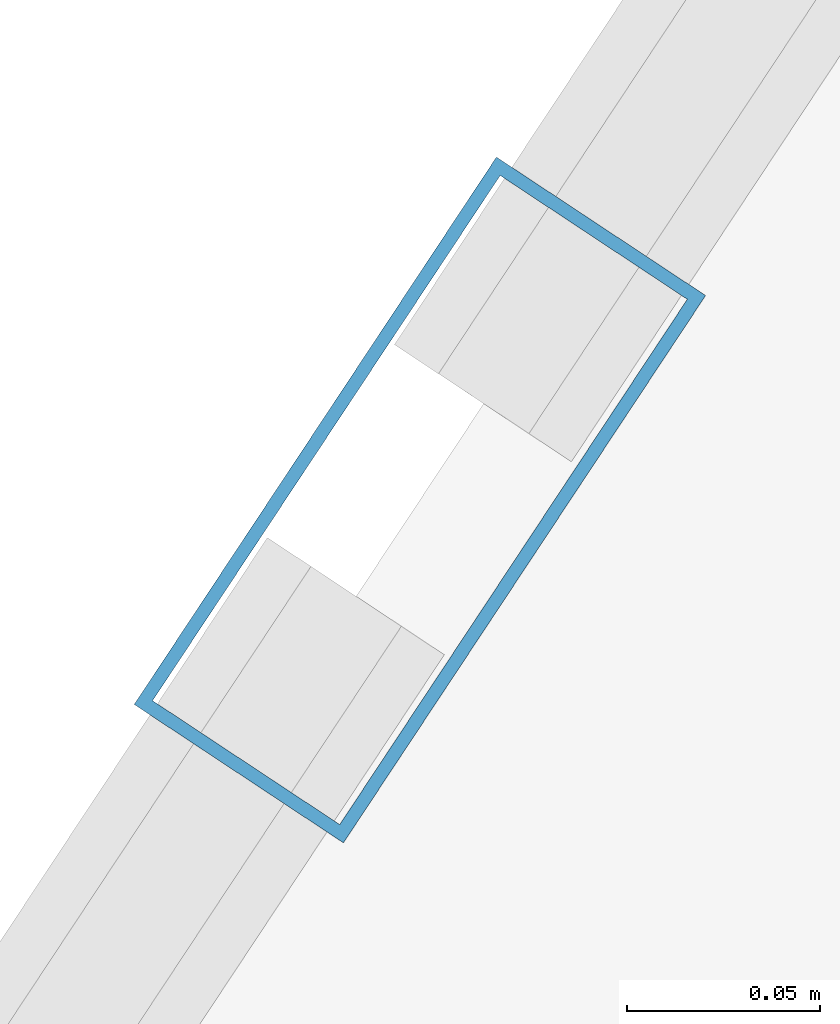
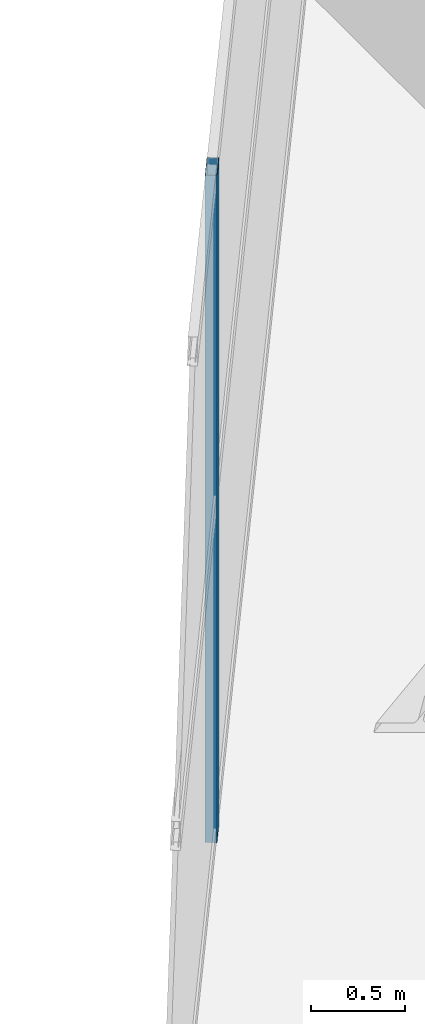
# One storey, part 4 of 15: 1 member, 1 element without a shape of its own.
"""IFC4 building model written with IfcOpenShell, lengths in metres."""

from ifc_helpers import new_model, si_unit, direction, frame, origin, origin_2d, place, context, subcontext, project, spatial, hollow_rectangle, extrude, material, layer, layer_set, material_profile, profile_set, type_object, element, aggregate, save


model = new_model("IFC4")

# Units and contexts
model_context = context("Model", 3, precision=1e-05, world=origin(), true_north=direction((0.0, 1.0)))
body_context = subcontext(model_context, "Body", "Model", "MODEL_VIEW")
ifc_project = project(units=[si_unit("LENGTHUNIT", "METRE"), si_unit("AREAUNIT", "SQUARE_METRE"), si_unit("VOLUMEUNIT", "CUBIC_METRE"), si_unit("PLANEANGLEUNIT", "RADIAN"), si_unit("MASSUNIT", "GRAM", prefix="KILO")], contexts=[model_context])

# Site, building, storey
site_placement = place(None, origin())
site = spatial("IfcSite", under=ifc_project, at=site_placement, CompositionType="ELEMENT")
building_placement = place(site_placement, origin())
building = spatial("IfcBuilding", under=site, at=building_placement, Name="Calvorn Quay Hotel", CompositionType="ELEMENT")
storey_placement = place(building_placement, frame((0.0, 0.0, 282.5)))
storey = spatial("IfcBuildingStorey", under=building, at=storey_placement, Name="L70", CompositionType="ELEMENT", Elevation=282.5)

# Curtain wall, member
ifc_material_1 = material(Name="Champagne Bronze Anodised Aluminium and Low-E Glass", Category="aluminium")
ifc_layer = layer(ifc_material_1, 0.219970703125)
ifc_layer_set = layer_set([ifc_layer], Name="CW-SYS-Z4")
curtain_wall_type = type_object("IfcCurtainWallType", Name="CW-SYS-Z4", PredefinedType="NOTDEFINED", material=ifc_layer_set)
curtain_wall_placement = place(storey_placement, origin())
curtain_wall = element("IfcCurtainWall", 1, at=curtain_wall_placement, inside=storey, type_object=curtain_wall_type, Name="Inner Court Curtain Wall L70-NE1", PredefinedType="NOTDEFINED")
ifc_material_2 = material(Name="Champagne Bronze Anodised Aluminium 6063-T6", Category="aluminium")
ifc_material_profile = material_profile(ifc_material_2, hollow_rectangle(XDim=0.06494140625, YDim=0.169921875, WallThickness=0.00341796875, at=origin_2d()), Name="ALU-M170x65x3.5")
ifc_profile_set = profile_set([ifc_material_profile], Name="Champagne Bronze Anodised Aluminium 6063-T6")
member_type = type_object("IfcMemberType", Name="CW-SYS-Z4-MUL", PredefinedType="MULLION", material=ifc_profile_set)
member_placement = place(storey_placement, frame((26.10009765625, 31.199951171875, 0.0), z_axis=(0.0, 0.0, 1.0), x_axis=(0.833932205724, -0.551866900852, 0.0)))
member = element("IfcMember", 2, at=member_placement, type_object=member_type, Name="CW-L70-NE1 mullion 2", PredefinedType="MULLION", context=body_context, shape_type="SweptSolid", body=[
    extrude(hollow_rectangle(XDim=0.06494140625, YDim=0.169921875, WallThickness=0.00341796875, at=origin_2d()), origin(), (0.0, 0.0, 1.0), 4.35009765625),
])
aggregate(curtain_wall, [member])

save(model, "model.ifc")
